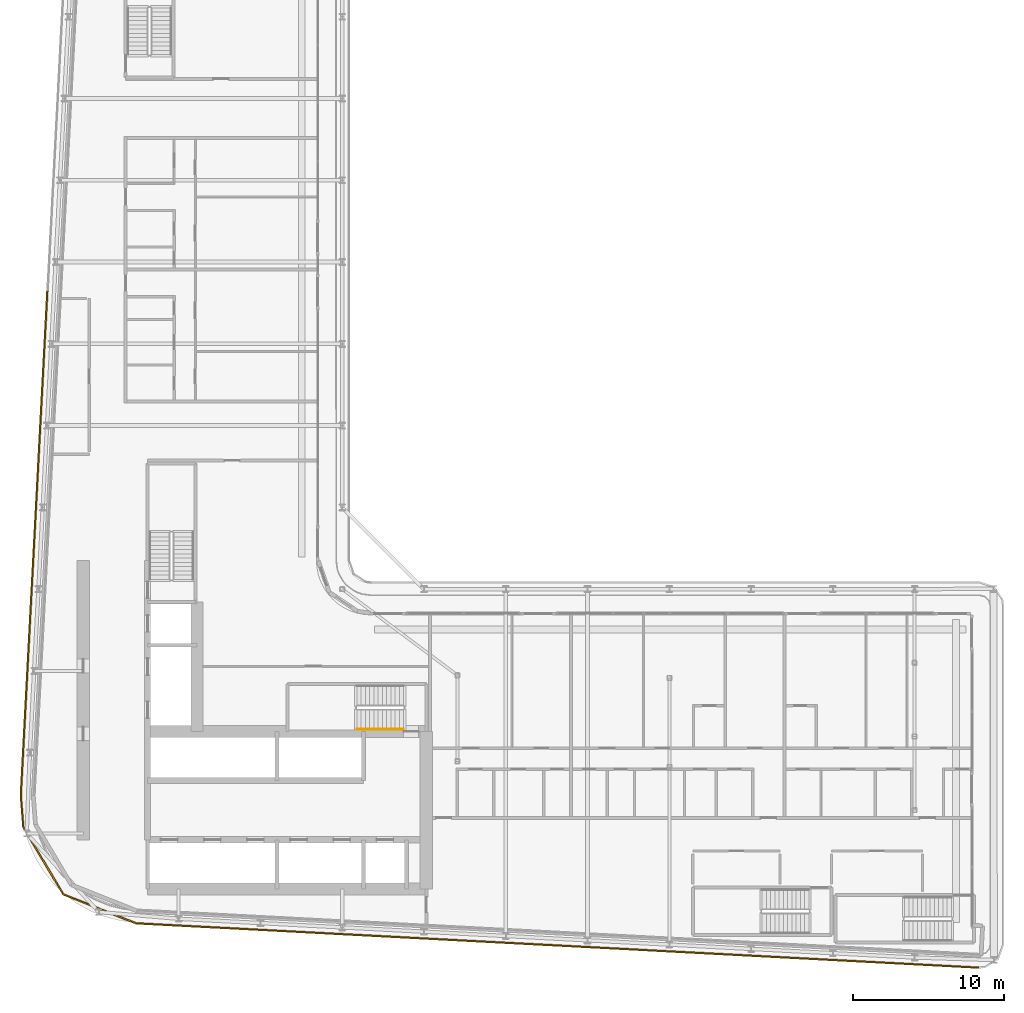
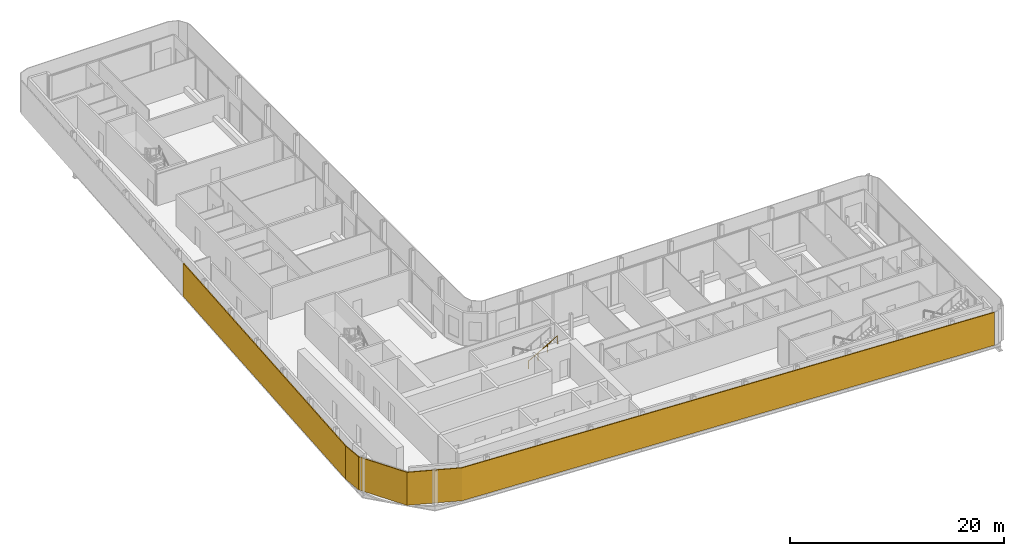
# One storey, part 20 of 26: 2 shading devices, 1 railing.
"""IFC4 building model written with IfcOpenShell, lengths in metres."""

from ifc_helpers import new_model, si_unit, direction, frame, origin, origin_2d, place, context, subcontext, project, spatial, polyline, rectangle, circle, outline, extrude, material, layer, layer_set, type_object, element, save


model = new_model("IFC4")

# Units and contexts
model_context = context("Model", 3, precision=1e-05, world=origin(), true_north=direction((0.0, 1.0)))
body_context = subcontext(model_context, "Body", "Model", "MODEL_VIEW")
ifc_project = project(units=[si_unit("LENGTHUNIT", "METRE"), si_unit("AREAUNIT", "SQUARE_METRE"), si_unit("VOLUMEUNIT", "CUBIC_METRE"), si_unit("PLANEANGLEUNIT", "RADIAN"), si_unit("MASSUNIT", "GRAM", prefix="KILO")], contexts=[model_context])

# Site, building, storey
site_placement = place(None, origin())
site = spatial("IfcSite", under=ifc_project, at=site_placement, CompositionType="ELEMENT")
building_placement = place(site_placement, origin())
building = spatial("IfcBuilding", under=site, at=building_placement, Name="Kheshtan School and Residences Tower", CompositionType="ELEMENT")
storey_placement = place(building_placement, frame((0.0, 0.0, 156.5)))
storey = spatial("IfcBuildingStorey", under=building, at=storey_placement, Name="L36", CompositionType="ELEMENT", Elevation=156.5)

# Shading devices
ifc_material_1 = material(Name="Terracotta baguette, extruded ceramic", Category="masonry")
ifc_layer = layer(ifc_material_1, 0.10009765625)
ifc_layer_set = layer_set([ifc_layer], Name="Ledge screen, terracotta baguettes")
shading_device_type = type_object("IfcShadingDeviceType", Name="Ledge screen, terracotta baguettes", PredefinedType="USERDEFINED", material=ifc_layer_set)
shading_device_1_placement = place(storey_placement, origin())
element("IfcShadingDevice", 1, at=shading_device_1_placement, inside=storey, type_object=shading_device_type, Name="Screen L36 3", ObjectType="BAGUETTE", PredefinedType="USERDEFINED", context=body_context, shape_type="SweptSolid", body=[
    extrude(outline(polyline([(89.62109375, 20.652099609375), (33.989013671875, 23.580078125), (29.2119140625, 25.486083984375), (26.583984375, 29.906982421875), (26.419921875, 31.989013671875), (26.320068359375, 31.98095703125), (26.486083984375, 29.8759765625), (29.14306640625, 25.406005859375), (33.967041015625, 23.48095703125), (89.615966796875, 20.552001953125), (89.62109375, 20.652099609375)])), origin(), (0.0, 0.0, 1.0), 3.75),
])
shading_device_2_placement = place(storey_placement, frame((27.24609375, 48.638916015625, 0.0), z_axis=(0.0, 0.0, 1.0), x_axis=(0.052562536748, 0.998617634398, 0.0)))
element("IfcShadingDevice", 2, at=shading_device_2_placement, inside=storey, type_object=shading_device_type, Name="Screen L36 4", ObjectType="BAGUETTE", PredefinedType="USERDEFINED", context=body_context, shape_type="SweptSolid", body=[
    extrude(rectangle(XDim=33.341064453125, YDim=0.10009765625, at=origin_2d()), origin(), (0.0, 0.0, 1.0), 3.75),
])

# Railing
ifc_material_2 = material(Name="Stainless steel handrail", Category="steel")
railing_type = type_object("IfcRailingType", Name="Stair handrail 900", PredefinedType="HANDRAIL", material=ifc_material_2)
railing_placement = place(storey_placement, frame((48.570068359375, 36.35009765625, 2.112548828125)))
element("IfcRailing", 3, at=railing_placement, inside=storey, type_object=railing_type, Name="L36 ST1 stair handrail 2", PredefinedType="HANDRAIL", context=body_context, shape_type="SweptSolid", body=[
    extrude(circle(Radius=0.02392578125, at=origin_2d()), frame((0.0, 0.0, 0.8759765625), z_axis=(0.864903211148, 0.0, 0.501938676878), x_axis=(0.0, 1.0, 0.0)), (0.0, 0.0, 1.0), 3.560791015625),
    extrude(circle(Radius=0.02099609375, at=origin_2d()), origin(), (0.0, 0.0, 1.0), 0.851806640625),
    extrude(circle(Radius=0.02099609375, at=origin_2d()), frame((1.026611328125, 0.0, 0.595703125)), (0.0, 0.0, 1.0), 0.851806640625),
    extrude(circle(Radius=0.02099609375, at=origin_2d()), frame((2.05322265625, 0.0, 1.191650390625)), (0.0, 0.0, 1.0), 0.851806640625),
    extrude(circle(Radius=0.02099609375, at=origin_2d()), frame((3.079833984375, 0.0, 1.787353515625)), (0.0, 0.0, 1.0), 0.851806640625),
])

save(model, "model.ifc")
